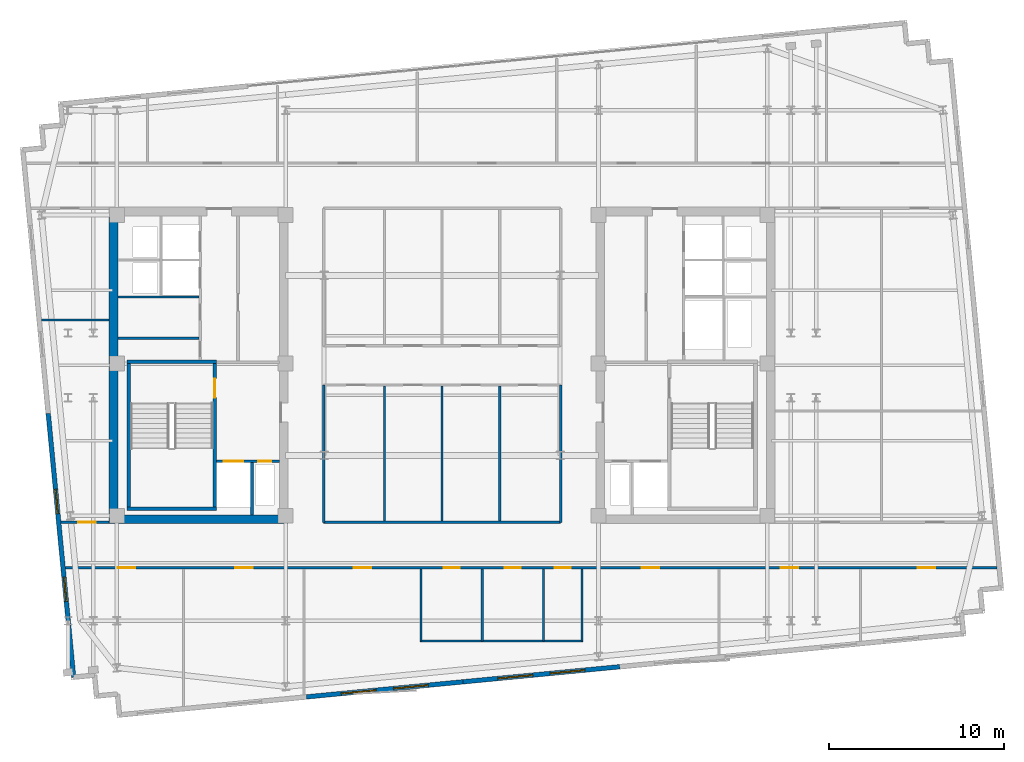
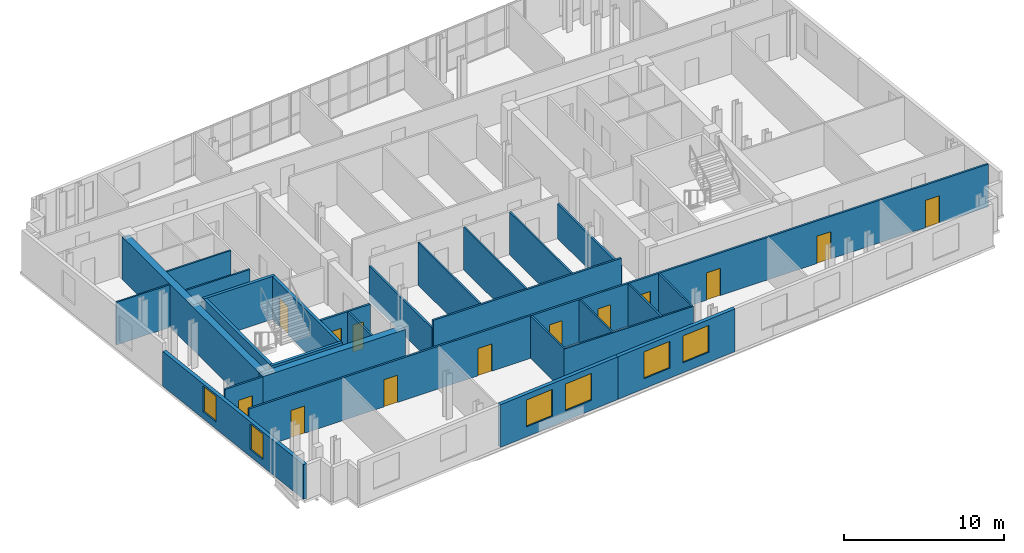
# One storey, part 6 of 11: 27 walls, 13 doors, 6 windows, 19 openings.
"""IFC4 building model written with IfcOpenShell, lengths in metres."""

from ifc_helpers import new_model, si_unit, direction, frame, frame_2d, origin, place, context, subcontext, project, spatial, rectangle, extrude, material, layer, layer_set, type_object, element, fill, save


model = new_model("IFC4")

# Units and contexts
model_context = context("Model", 3, precision=1e-05, world=origin(), true_north=direction((0.0, 1.0)))
body_context = subcontext(model_context, "Body", "Model", "MODEL_VIEW")
ifc_project = project(units=[si_unit("LENGTHUNIT", "METRE"), si_unit("AREAUNIT", "SQUARE_METRE"), si_unit("VOLUMEUNIT", "CUBIC_METRE"), si_unit("PLANEANGLEUNIT", "RADIAN"), si_unit("MASSUNIT", "GRAM", prefix="KILO")], contexts=[model_context])

# Site, building, storey
site_placement = place(None, origin())
site = spatial("IfcSite", under=ifc_project, at=site_placement, CompositionType="ELEMENT")
building_placement = place(site_placement, origin())
building = spatial("IfcBuilding", under=site, at=building_placement, Name="Velakula Bourse", CompositionType="ELEMENT")
storey_placement = place(building_placement, frame((0.0, 0.0, 279.300048828125)))
storey = spatial("IfcBuildingStorey", under=building, at=storey_placement, Name="L76", CompositionType="ELEMENT", Elevation=279.300048828125)

# Wall, opening, door
ifc_material_1 = material(Name="Concrete M50 (fck 50 MPa)", Category="concrete")
ifc_layer_1 = layer(ifc_material_1, 0.2099609375, Name="Concrete M50 (fck 50 MPa)", Category="concrete")
ifc_layer_set_1 = layer_set([ifc_layer_1], Name="Concrete M50 (fck 50 MPa)")
wall_type_1 = type_object("IfcWallType", Name="WL-CORE-210", PredefinedType="SHEAR", material=ifc_layer_set_1)
wall_1_placement = place(storey_placement, frame((-12.9951171875, -8.10009765625, 0.0), z_axis=(0.0, 0.0, 1.0), x_axis=(0.0, 1.0, 0.0)))
wall_1 = element("IfcWall", 1, at=wall_1_placement, inside=storey, type_object=wall_type_1, Name="L76 Core W Stairwell Shear Wall IN", PredefinedType="SHEAR", context=body_context, shape_type="SweptSolid", body=[
    extrude(rectangle(XDim=8.2001953125, YDim=0.2099609375, at=frame_2d((4.10009765625, 0.0))), origin(), (0.0, 0.0, 1.0), 3.27001953125),
])
opening_1_placement = place(wall_1_placement, frame((6.25, 0.0, 0.0)))
opening_1 = element("IfcOpeningElement", 2, at=opening_1_placement, cuts=wall_1, Name="Opening D-STW1", PredefinedType="OPENING", context=body_context, shape_type="SweptSolid", body=[
    extrude(rectangle(XDim=1.10009765625, YDim=2.14990234375, at=frame_2d((0.550048828125, 1.074951171875))), frame((0.0, 0.114990234375, 0.0), z_axis=(0.0, -1.0, 0.0), x_axis=(1.0, 0.0, 0.0)), (0.0, 0.0, 1.0), 0.22998046875),
])
ifc_material_2 = material(Name="Galvanised painted hollow steel fire door", Category="steel")
door_type_1 = type_object("IfcDoorType", Name="DR-FD120-1100x2150", OperationType="NOTDEFINED", PredefinedType="DOOR", material=ifc_material_2)
door_1_placement = place(opening_1_placement, origin())
door_1 = element("IfcDoor", 3, at=door_1_placement, inside=storey, type_object=door_type_1, Name="L76 Stair ST-W1 Fire Door", OperationType="SINGLE_SWING_LEFT", OverallHeight=2.14990234375, OverallWidth=1.10009765625, PredefinedType="DOOR", context=body_context, shape_type="SweptSolid", body=[
    extrude(rectangle(XDim=1.10009765625, YDim=2.14990234375, at=frame_2d((0.550048828125, 1.074951171875))), frame((0.0, 0.02490234375, 0.0), z_axis=(0.0, -1.0, 0.0), x_axis=(1.0, 0.0, 0.0)), (0.0, 0.0, 1.0), 0.050048828125),
])
fill(opening_1, door_1)

# Walls
wall_2_placement = place(storey_placement, frame((-17.925048828125, -8.10009765625, 0.0), z_axis=(0.0, 0.0, 1.0), x_axis=(0.0, 1.0, 0.0)))
element("IfcWall", 4, at=wall_2_placement, inside=storey, type_object=wall_type_1, Name="L76 Core W Stairwell Shear Wall OUT", PredefinedType="SHEAR", context=body_context, shape_type="SweptSolid", body=[
    extrude(rectangle(XDim=8.2001953125, YDim=0.2099609375, at=frame_2d((4.10009765625, 0.0))), origin(), (0.0, 0.0, 1.0), 3.27001953125),
])
for number, where, z_axis, x_axis, name in (
    (5, (-18.030029296875, -8.205078125, 0.0), (0.0, 0.0, 1.0), (1.0, 0.0, 0.0), "L76 Core W Stairwell Shear Wall S"),
    (6, (-12.889892578125, 0.205078125, 0.0), (0.0, 0.0, 1.0), (-1.0, 0.0, 0.0), "L76 Core W Stairwell Shear Wall N"),
):
    element("IfcWall", number, at=place(storey_placement, frame(where, z_axis=z_axis, x_axis=x_axis)), inside=storey, type_object=wall_type_1, Name=name, PredefinedType="SHEAR", context=body_context, shape_type="SweptSolid", body=[
        extrude(rectangle(XDim=5.14013671875, YDim=0.2099609375, at=frame_2d((2.570068359375, 0.0))), origin(), (0.0, 0.0, 1.0), 3.27001953125),
    ])
ifc_layer_2 = layer(ifc_material_1, 0.5, Name="Concrete M50 (fck 50 MPa)", Category="concrete")
ifc_layer_set_2 = layer_set([ifc_layer_2], Name="Concrete M50 (fck 50 MPa)")
wall_type_2 = type_object("IfcWallType", Name="WL-CORE-500", PredefinedType="SHEAR", material=ifc_layer_set_2)
wall_3_placement = place(storey_placement, frame((-19.050048828125, -8.800048828125, 0.0), z_axis=(0.0, 0.0, 1.0), x_axis=(1.0, 0.0, 0.0)))
element("IfcWall", 7, at=wall_3_placement, inside=storey, type_object=wall_type_2, Name="L76 Core W Shear Wall S", PredefinedType="SHEAR", context=body_context, shape_type="SweptSolid", body=[
    extrude(rectangle(XDim=10.25, YDim=0.5, at=frame_2d((5.125, 0.0))), origin(), (0.0, 0.0, 1.0), 3.27001953125),
])
wall_4_placement = place(storey_placement, frame((-18.800048828125, -8.550048828125, 0.0), z_axis=(0.0, 0.0, 1.0), x_axis=(0.0, 1.0, 0.0)))
element("IfcWall", 8, at=wall_4_placement, inside=storey, type_object=wall_type_2, Name="L76 Core W Shear Wall W", PredefinedType="SHEAR", context=body_context, shape_type="SweptSolid", body=[
    extrude(rectangle(XDim=17.10009765625, YDim=0.5, at=frame_2d((8.550048828125, 0.0))), origin(), (0.0, 0.0, 1.0), 3.27001953125),
])

# Wall, openings, windows
ifc_material_3 = material(Name="Buff kilned clay facing brick masonry", Category="masonry")
ifc_layer_3 = layer(ifc_material_3, 0.260009765625, Name="Buff kilned clay facing brick masonry", Category="masonry")
ifc_layer_set_3 = layer_set([ifc_layer_3], Name="Buff kilned clay facing brick masonry")
wall_type_3 = type_object("IfcWallType", Name="WL-EXT-BRK-260", PredefinedType="STANDARD", material=ifc_layer_set_3)
wall_5_placement = place(storey_placement, frame((1.202880859375, -18.1005859375, 0.0), z_axis=(0.0, 0.0, 1.0), x_axis=(-0.995397043619, -0.095836973841, 0.0)))
wall_5 = element("IfcWall", 9, at=wall_5_placement, inside=storey, type_object=wall_type_3, Name="L76 S Brick Spandrel Wall B2", PredefinedType="STANDARD", context=body_context, shape_type="SweptSolid", body=[
    extrude(rectangle(XDim=9.000244140625, YDim=0.260009765625, at=frame_2d((4.5, 0.0))), origin(), (0.0, 0.0, 1.0), 3.25),
])
opening_2_placement = place(wall_5_placement, frame((2.0, 0.0, 0.760009765625)))
opening_2 = element("IfcOpeningElement", 10, at=opening_2_placement, cuts=wall_5, Name="Opening W-05", PredefinedType="OPENING", context=body_context, shape_type="SweptSolid", body=[
    extrude(rectangle(XDim=2.0, YDim=2.050048828125, at=frame_2d((1.0, 1.02490234375))), frame((0.0, 0.139892578125, 0.0), z_axis=(0.0, -1.0, 0.0), x_axis=(1.0, 0.0, 0.0)), (0.0, 0.0, 1.0), 0.280029296875),
])
opening_3_placement = place(wall_5_placement, frame((5.0, 0.0, 0.760009765625)))
opening_3 = element("IfcOpeningElement", 11, at=opening_3_placement, cuts=wall_5, Name="Opening W-05", PredefinedType="OPENING", context=body_context, shape_type="SweptSolid", body=[
    extrude(rectangle(XDim=2.0, YDim=2.050048828125, at=frame_2d((1.0, 1.02490234375))), frame((0.0, 0.139892578125, 0.0), z_axis=(0.0, -1.0, 0.0), x_axis=(1.0, 0.0, 0.0)), (0.0, 0.0, 1.0), 0.280029296875),
])
ifc_material_4 = material(Name="Double-glazed solar-control Low-E glass", Category="glass")
window_type_1 = type_object("IfcWindowType", Name="WIN-TWR-2000x2200", PartitioningType="DOUBLE_PANEL_VERTICAL", PredefinedType="WINDOW", material=ifc_material_4)
window_1_placement = place(opening_2_placement, origin())
window_1 = element("IfcWindow", 12, at=window_1_placement, inside=storey, type_object=window_type_1, Name="L76 Deep-Set Recessed Window 1", OverallHeight=2.050048828125, OverallWidth=2.0, PartitioningType="DOUBLE_PANEL_VERTICAL", PredefinedType="WINDOW", context=body_context, shape_type="SweptSolid", body=[
    extrude(rectangle(XDim=2.0, YDim=2.050048828125, at=frame_2d((1.0, 1.02490234375))), frame((0.0, 0.030029296875, 0.0), z_axis=(0.0, -1.0, 0.0), x_axis=(1.0, 0.0, 0.0)), (0.0, 0.0, 1.0), 0.06005859375),
])
fill(opening_2, window_1)
window_2_placement = place(opening_3_placement, origin())
window_2 = element("IfcWindow", 13, at=window_2_placement, inside=storey, type_object=window_type_1, Name="L76 Deep-Set Recessed Window 2", OverallHeight=2.050048828125, OverallWidth=2.0, PartitioningType="DOUBLE_PANEL_VERTICAL", PredefinedType="WINDOW", context=body_context, shape_type="SweptSolid", body=[
    extrude(rectangle(XDim=2.0, YDim=2.050048828125, at=frame_2d((1.0, 1.02490234375))), frame((0.0, 0.030029296875, 0.0), z_axis=(0.0, -1.0, 0.0), x_axis=(1.0, 0.0, 0.0)), (0.0, 0.0, 1.0), 0.06005859375),
])
fill(opening_3, window_2)

wall_6_placement = place(storey_placement, frame((10.161376953125, -17.23779296875, 0.0), z_axis=(0.0, 0.0, 1.0), x_axis=(-0.995394206237, -0.095866439332, 0.0)))
wall_6 = element("IfcWall", 14, at=wall_6_placement, inside=storey, type_object=wall_type_3, Name="L76 S Brick Spandrel Wall B3", PredefinedType="STANDARD", context=body_context, shape_type="SweptSolid", body=[
    extrude(rectangle(XDim=9.0, YDim=0.260009765625, at=frame_2d((4.5, 0.0))), origin(), (0.0, 0.0, 1.0), 3.25),
])
opening_4_placement = place(wall_6_placement, frame((2.0, 0.0, 0.760009765625)))
opening_4 = element("IfcOpeningElement", 15, at=opening_4_placement, cuts=wall_6, Name="Opening W-05", PredefinedType="OPENING", context=body_context, shape_type="SweptSolid", body=[
    extrude(rectangle(XDim=2.0, YDim=2.050048828125, at=frame_2d((1.0, 1.02490234375))), frame((0.0, 0.139892578125, 0.0), z_axis=(0.0, -1.0, 0.0), x_axis=(1.0, 0.0, 0.0)), (0.0, 0.0, 1.0), 0.280029296875),
])
opening_5_placement = place(wall_6_placement, frame((5.0, 0.0, 0.760009765625)))
opening_5 = element("IfcOpeningElement", 16, at=opening_5_placement, cuts=wall_6, Name="Opening W-05", PredefinedType="OPENING", context=body_context, shape_type="SweptSolid", body=[
    extrude(rectangle(XDim=2.0, YDim=2.050048828125, at=frame_2d((1.0, 1.02490234375))), frame((0.0, 0.139892578125, 0.0), z_axis=(0.0, -1.0, 0.0), x_axis=(1.0, 0.0, 0.0)), (0.0, 0.0, 1.0), 0.280029296875),
])
window_3_placement = place(opening_4_placement, origin())
window_3 = element("IfcWindow", 17, at=window_3_placement, inside=storey, type_object=window_type_1, Name="L76 Deep-Set Recessed Window 1", OverallHeight=2.050048828125, OverallWidth=2.0, PartitioningType="DOUBLE_PANEL_VERTICAL", PredefinedType="WINDOW", context=body_context, shape_type="SweptSolid", body=[
    extrude(rectangle(XDim=2.0, YDim=2.050048828125, at=frame_2d((1.0, 1.02490234375))), frame((0.0, 0.030029296875, 0.0), z_axis=(0.0, -1.0, 0.0), x_axis=(1.0, 0.0, 0.0)), (0.0, 0.0, 1.0), 0.06005859375),
])
fill(opening_4, window_3)
window_4_placement = place(opening_5_placement, origin())
window_4 = element("IfcWindow", 18, at=window_4_placement, inside=storey, type_object=window_type_1, Name="L76 Deep-Set Recessed Window 2", OverallHeight=2.050048828125, OverallWidth=2.0, PartitioningType="DOUBLE_PANEL_VERTICAL", PredefinedType="WINDOW", context=body_context, shape_type="SweptSolid", body=[
    extrude(rectangle(XDim=2.0, YDim=2.050048828125, at=frame_2d((1.0, 1.02490234375))), frame((0.0, 0.030029296875, 0.0), z_axis=(0.0, -1.0, 0.0), x_axis=(1.0, 0.0, 0.0)), (0.0, 0.0, 1.0), 0.06005859375),
])
fill(opening_5, window_4)

wall_7_placement = place(storey_placement, frame((-21.0751953125, -17.83447265625, 0.0), z_axis=(0.0, 0.0, 1.0), x_axis=(-0.095852427869, 0.995395555582, 0.0)))
wall_7 = element("IfcWall", 19, at=wall_7_placement, inside=storey, type_object=wall_type_3, Name="L76 W Brick End Wall W1", PredefinedType="STANDARD", context=body_context, shape_type="SweptSolid", body=[
    extrude(rectangle(XDim=15.14990234375, YDim=0.260009765625, at=frame_2d((7.574951171875, 0.0))), origin(), (0.0, 0.0, 1.0), 2.64501953125),
])
opening_6_placement = place(wall_7_placement, frame((4.35009765625, 0.0, 0.534912109375)))
opening_6 = element("IfcOpeningElement", 20, at=opening_6_placement, cuts=wall_7, Name="Opening W-03", PredefinedType="OPENING", context=body_context, shape_type="SweptSolid", body=[
    extrude(rectangle(XDim=1.39990234375, YDim=1.949951171875, at=frame_2d((0.699951171875, 0.97509765625))), frame((0.0, 0.139892578125, 0.0), z_axis=(0.0, -1.0, 0.0), x_axis=(1.0, 0.0, 0.0)), (0.0, 0.0, 1.0), 0.280029296875),
])
opening_7_placement = place(wall_7_placement, frame((9.39990234375, 0.0, 0.534912109375)))
opening_7 = element("IfcOpeningElement", 21, at=opening_7_placement, cuts=wall_7, Name="Opening W-03", PredefinedType="OPENING", context=body_context, shape_type="SweptSolid", body=[
    extrude(rectangle(XDim=1.39990234375, YDim=1.949951171875, at=frame_2d((0.699951171875, 0.97509765625))), frame((0.0, 0.139892578125, 0.0), z_axis=(0.0, -1.0, 0.0), x_axis=(1.0, 0.0, 0.0)), (0.0, 0.0, 1.0), 0.280029296875),
])
window_type_2 = type_object("IfcWindowType", Name="WIN-TWR-1400x2100", PartitioningType="SINGLE_PANEL", PredefinedType="WINDOW", material=ifc_material_4)
window_5_placement = place(opening_6_placement, origin())
window_5 = element("IfcWindow", 22, at=window_5_placement, inside=storey, type_object=window_type_2, Name="L76 Deep-Set Recessed Window 1", OverallHeight=1.949951171875, OverallWidth=1.39990234375, PartitioningType="SINGLE_PANEL", PredefinedType="WINDOW", context=body_context, shape_type="SweptSolid", body=[
    extrude(rectangle(XDim=1.39990234375, YDim=1.949951171875, at=frame_2d((0.699951171875, 0.97509765625))), frame((0.0, 0.030029296875, 0.0), z_axis=(0.0, -1.0, 0.0), x_axis=(1.0, 0.0, 0.0)), (0.0, 0.0, 1.0), 0.06005859375),
])
fill(opening_6, window_5)
window_6_placement = place(opening_7_placement, origin())
window_6 = element("IfcWindow", 23, at=window_6_placement, inside=storey, type_object=window_type_2, Name="L76 Deep-Set Recessed Window 2", OverallHeight=1.949951171875, OverallWidth=1.39990234375, PartitioningType="SINGLE_PANEL", PredefinedType="WINDOW", context=body_context, shape_type="SweptSolid", body=[
    extrude(rectangle(XDim=1.39990234375, YDim=1.949951171875, at=frame_2d((0.699951171875, 0.97509765625))), frame((0.0, 0.030029296875, 0.0), z_axis=(0.0, -1.0, 0.0), x_axis=(1.0, 0.0, 0.0)), (0.0, 0.0, 1.0), 0.06005859375),
])
fill(opening_7, window_6)

# Walls
ifc_material_5 = material(Name="Fire-rated double-layer gypsum drywall partition", Category="gypsum")
ifc_layer_4 = layer(ifc_material_5, 0.1201171875, Name="Fire-rated double-layer gypsum drywall partition", Category="gypsum")
ifc_layer_set_4 = layer_set([ifc_layer_4], Name="Fire-rated double-layer gypsum drywall partition")
wall_type_4 = type_object("IfcWallType", Name="WL-PART-120", PredefinedType="STANDARD", material=ifc_layer_set_4)
for number, where, z_axis, x_axis, name in (
    (24, (-18.550048828125, 3.919921875, 0.0), (0.0, 0.0, 1.0), (1.0, 0.0, 0.0), "L76 Interior Partition WL-CRW-L76-HI-S"),
    (25, (-18.550048828125, 1.550048828125, 0.0), (0.0, 0.0, 1.0), (1.0, 0.0, 0.0), "L76 Interior Partition WL-CRW-L76-K1"),
):
    element("IfcWall", number, at=place(storey_placement, frame(where, z_axis=z_axis, x_axis=x_axis)), inside=storey, type_object=wall_type_4, Name=name, PredefinedType="STANDARD", context=body_context, shape_type="SweptSolid", body=[
        extrude(rectangle(XDim=4.650146484375, YDim=0.1201171875, at=frame_2d((2.3251953125, 0.0))), origin(), (0.0, 0.0, 1.0), 3.25),
    ])
wall_8_placement = place(storey_placement, frame((-1.260009765625, -15.77001953125, 0.0), z_axis=(0.0, 0.0, 1.0), x_axis=(1.0, 0.0, 0.0)))
element("IfcWall", 26, at=wall_8_placement, inside=storey, type_object=wall_type_4, Name="L76 Interior Partition WL-WC-L76-BACK", PredefinedType="STANDARD", context=body_context, shape_type="SweptSolid", body=[
    extrude(rectangle(XDim=9.320068359375, YDim=0.1201171875, at=frame_2d((4.66015625, 0.0))), origin(), (0.0, 0.0, 1.0), 3.25),
])
for number, where, z_axis, x_axis, name in (
    (27, (-1.199951171875, -15.77001953125, 0.0), (0.0, 0.0, 1.0), (0.0, 1.0, 0.0), "L76 Interior Partition WL-WC-L76-V1"),
    (28, (2.300048828125, -15.77001953125, 0.0), (0.0, 0.0, 1.0), (0.0, 1.0, 0.0), "L76 Interior Partition WL-WC-L76-V2"),
    (29, (5.800048828125, -15.77001953125, 0.0), (0.0, 0.0, 1.0), (0.0, 1.0, 0.0), "L76 Interior Partition WL-WC-L76-V3"),
    (30, (8.0, -15.77001953125, 0.0), (0.0, 0.0, 1.0), (0.0, 1.0, 0.0), "L76 Interior Partition WL-WC-L76-V4"),
):
    element("IfcWall", number, at=place(storey_placement, frame(where, z_axis=z_axis, x_axis=x_axis)), inside=storey, type_object=wall_type_4, Name=name, PredefinedType="STANDARD", context=body_context, shape_type="SweptSolid", body=[
        extrude(rectangle(XDim=4.130126953125, YDim=0.1201171875, at=frame_2d((2.06494140625, 0.0))), origin(), (0.0, 0.0, 1.0), 3.25),
    ])
wall_9_placement = place(storey_placement, frame((-22.912353515625, 2.60009765625, 0.0), z_axis=(0.0, 0.0, 1.0), x_axis=(1.0, 0.0, 0.0)))
element("IfcWall", 31, at=wall_9_placement, inside=storey, type_object=wall_type_4, Name="L76 Interior Partition WL-INT-L76-W-H", PredefinedType="STANDARD", context=body_context, shape_type="SweptSolid", body=[
    extrude(rectangle(XDim=3.8623046875, YDim=0.1201171875, at=frame_2d((1.93115234375, 0.0))), origin(), (0.0, 0.0, 1.0), 3.25),
])

# Wall, openings, doors
ifc_layer_5 = layer(ifc_material_5, 0.139892578125, Name="Fire-rated double-layer gypsum drywall partition", Category="gypsum")
ifc_layer_set_5 = layer_set([ifc_layer_5], Name="Fire-rated double-layer gypsum drywall partition")
wall_type_5 = type_object("IfcWallType", Name="WL-PART-140", PredefinedType="STANDARD", material=ifc_layer_set_5)
wall_10_placement = place(storey_placement, frame((-21.5478515625, -11.570068359375, 0.0), z_axis=(0.0, 0.0, 1.0), x_axis=(1.0, 0.0, 0.0)))
wall_10 = element("IfcWall", 32, at=wall_10_placement, inside=storey, type_object=wall_type_5, Name="L76 Interior Partition WL-INT-L76-S-CORR", PredefinedType="STANDARD", context=body_context, shape_type="SweptSolid", body=[
    extrude(rectangle(XDim=53.285400390625, YDim=0.139892578125, at=frame_2d((26.642578125, 0.0))), origin(), (0.0, 0.0, 1.0), 3.25),
])
opening_8_placement = place(wall_10_placement, frame((21.637939453125, 0.0, 0.0)))
opening_8 = element("IfcOpeningElement", 33, at=opening_8_placement, cuts=wall_10, Name="Opening D-WT1", PredefinedType="OPENING", context=body_context, shape_type="SweptSolid", body=[
    extrude(rectangle(XDim=0.919921875, YDim=2.080078125, at=frame_2d((0.4599609375, 1.0400390625))), frame((0.0, 0.079833984375, 0.0), z_axis=(0.0, -1.0, 0.0), x_axis=(1.0, 0.0, 0.0)), (0.0, 0.0, 1.0), 0.159912109375),
])
opening_9_placement = place(wall_10_placement, frame((25.137939453125, 0.0, 0.0)))
opening_9 = element("IfcOpeningElement", 34, at=opening_9_placement, cuts=wall_10, Name="Opening D-WT1", PredefinedType="OPENING", context=body_context, shape_type="SweptSolid", body=[
    extrude(rectangle(XDim=0.919921875, YDim=2.080078125, at=frame_2d((0.4599609375, 1.0400390625))), frame((0.0, 0.079833984375, 0.0), z_axis=(0.0, -1.0, 0.0), x_axis=(1.0, 0.0, 0.0)), (0.0, 0.0, 1.0), 0.159912109375),
])
opening_10_placement = place(wall_10_placement, frame((27.98779296875, 0.0, 0.0)))
opening_10 = element("IfcOpeningElement", 35, at=opening_10_placement, cuts=wall_10, Name="Opening D-WC1", PredefinedType="OPENING", context=body_context, shape_type="SweptSolid", body=[
    extrude(rectangle(XDim=0.919921875, YDim=2.080078125, at=frame_2d((0.4599609375, 1.0400390625))), frame((0.0, 0.079833984375, 0.0), z_axis=(0.0, -1.0, 0.0), x_axis=(1.0, 0.0, 0.0)), (0.0, 0.0, 1.0), 0.159912109375),
])
opening_11_placement = place(wall_10_placement, frame((3.005859375, 0.0, 0.0)))
opening_11 = element("IfcOpeningElement", 36, at=opening_11_placement, cuts=wall_10, Name="Opening D-OF1", PredefinedType="OPENING", context=body_context, shape_type="SweptSolid", body=[
    extrude(rectangle(XDim=1.0, YDim=2.080078125, at=frame_2d((0.5, 1.0400390625))), frame((0.0, 0.079833984375, 0.0), z_axis=(0.0, -1.0, 0.0), x_axis=(1.0, 0.0, 0.0)), (0.0, 0.0, 1.0), 0.159912109375),
])
opening_12_placement = place(wall_10_placement, frame((9.70751953125, 0.0, 0.0)))
opening_12 = element("IfcOpeningElement", 37, at=opening_12_placement, cuts=wall_10, Name="Opening D-OF1", PredefinedType="OPENING", context=body_context, shape_type="SweptSolid", body=[
    extrude(rectangle(XDim=1.0, YDim=2.080078125, at=frame_2d((0.5, 1.0400390625))), frame((0.0, 0.079833984375, 0.0), z_axis=(0.0, -1.0, 0.0), x_axis=(1.0, 0.0, 0.0)), (0.0, 0.0, 1.0), 0.159912109375),
])
opening_13_placement = place(wall_10_placement, frame((16.50146484375, 0.0, 0.0)))
opening_13 = element("IfcOpeningElement", 38, at=opening_13_placement, cuts=wall_10, Name="Opening D-OF1", PredefinedType="OPENING", context=body_context, shape_type="SweptSolid", body=[
    extrude(rectangle(XDim=1.0, YDim=2.080078125, at=frame_2d((0.5, 1.0400390625))), frame((0.0, 0.079833984375, 0.0), z_axis=(0.0, -1.0, 0.0), x_axis=(1.0, 0.0, 0.0)), (0.0, 0.0, 1.0), 0.159912109375),
])
opening_14_placement = place(wall_10_placement, frame((32.970458984375, 0.0, 0.0)))
opening_14 = element("IfcOpeningElement", 39, at=opening_14_placement, cuts=wall_10, Name="Opening D-OF1", PredefinedType="OPENING", context=body_context, shape_type="SweptSolid", body=[
    extrude(rectangle(XDim=1.0, YDim=2.080078125, at=frame_2d((0.5, 1.0400390625))), frame((0.0, 0.079833984375, 0.0), z_axis=(0.0, -1.0, 0.0), x_axis=(1.0, 0.0, 0.0)), (0.0, 0.0, 1.0), 0.159912109375),
])
opening_15_placement = place(wall_10_placement, frame((40.933837890625, 0.0, 0.0)))
opening_15 = element("IfcOpeningElement", 40, at=opening_15_placement, cuts=wall_10, Name="Opening D-OF1", PredefinedType="OPENING", context=body_context, shape_type="SweptSolid", body=[
    extrude(rectangle(XDim=1.0, YDim=2.080078125, at=frame_2d((0.5, 1.0400390625))), frame((0.0, 0.079833984375, 0.0), z_axis=(0.0, -1.0, 0.0), x_axis=(1.0, 0.0, 0.0)), (0.0, 0.0, 1.0), 0.159912109375),
])
opening_16_placement = place(wall_10_placement, frame((48.754150390625, 0.0, 0.0)))
opening_16 = element("IfcOpeningElement", 41, at=opening_16_placement, cuts=wall_10, Name="Opening D-OF1", PredefinedType="OPENING", context=body_context, shape_type="SweptSolid", body=[
    extrude(rectangle(XDim=1.0, YDim=2.080078125, at=frame_2d((0.5, 1.0400390625))), frame((0.0, 0.079833984375, 0.0), z_axis=(0.0, -1.0, 0.0), x_axis=(1.0, 0.0, 0.0)), (0.0, 0.0, 1.0), 0.159912109375),
])
ifc_material_6 = material(Name="Fire-rated hardwood flush architectural door", Category="wood")
door_type_2 = type_object("IfcDoorType", Name="DR-OFF-1000", OperationType="NOTDEFINED", PredefinedType="DOOR", material=ifc_material_6)
door_2_placement = place(opening_11_placement, origin())
door_2 = element("IfcDoor", 42, at=door_2_placement, inside=storey, type_object=door_type_2, Name="L76 Quiet Financial Library Door", OperationType="SINGLE_SWING_LEFT", OverallHeight=2.080078125, OverallWidth=1.0, PredefinedType="DOOR", context=body_context, shape_type="SweptSolid", body=[
    extrude(rectangle(XDim=1.0, YDim=2.080078125, at=frame_2d((0.5, 1.0400390625))), frame((0.0, 0.02490234375, 0.0), z_axis=(0.0, -1.0, 0.0), x_axis=(1.0, 0.0, 0.0)), (0.0, 0.0, 1.0), 0.050048828125),
])
fill(opening_11, door_2)
door_3_placement = place(opening_12_placement, origin())
door_3 = element("IfcDoor", 43, at=door_3_placement, inside=storey, type_object=door_type_2, Name="L76 Broadcast Control Office Door", OperationType="SINGLE_SWING_RIGHT", OverallHeight=2.080078125, OverallWidth=1.0, PredefinedType="DOOR", context=body_context, shape_type="SweptSolid", body=[
    extrude(rectangle(XDim=1.0, YDim=2.080078125, at=frame_2d((0.5, 1.0400390625))), frame((0.0, 0.02490234375, 0.0), z_axis=(0.0, -1.0, 0.0), x_axis=(1.0, 0.0, 0.0)), (0.0, 0.0, 1.0), 0.050048828125),
])
fill(opening_12, door_3)
door_4_placement = place(opening_13_placement, origin())
door_4 = element("IfcDoor", 44, at=door_4_placement, inside=storey, type_object=door_type_2, Name="L76 Peer Review Boardroom Door", OperationType="SINGLE_SWING_LEFT", OverallHeight=2.080078125, OverallWidth=1.0, PredefinedType="DOOR", context=body_context, shape_type="SweptSolid", body=[
    extrude(rectangle(XDim=1.0, YDim=2.080078125, at=frame_2d((0.5, 1.0400390625))), frame((0.0, 0.02490234375, 0.0), z_axis=(0.0, -1.0, 0.0), x_axis=(1.0, 0.0, 0.0)), (0.0, 0.0, 1.0), 0.050048828125),
])
fill(opening_13, door_4)
door_5_placement = place(opening_14_placement, origin())
door_5 = element("IfcDoor", 45, at=door_5_placement, inside=storey, type_object=door_type_2, Name="L76 Catering Servery Pantry Door", OperationType="SINGLE_SWING_RIGHT", OverallHeight=2.080078125, OverallWidth=1.0, PredefinedType="DOOR", context=body_context, shape_type="SweptSolid", body=[
    extrude(rectangle(XDim=1.0, YDim=2.080078125, at=frame_2d((0.5, 1.0400390625))), frame((0.0, 0.02490234375, 0.0), z_axis=(0.0, -1.0, 0.0), x_axis=(1.0, 0.0, 0.0)), (0.0, 0.0, 1.0), 0.050048828125),
])
fill(opening_14, door_5)
door_6_placement = place(opening_15_placement, origin())
door_6 = element("IfcDoor", 46, at=door_6_placement, inside=storey, type_object=door_type_2, Name="L76 Sovereign Wealth Desk Workspace Door", OperationType="SINGLE_SWING_LEFT", OverallHeight=2.080078125, OverallWidth=1.0, PredefinedType="DOOR", context=body_context, shape_type="SweptSolid", body=[
    extrude(rectangle(XDim=1.0, YDim=2.080078125, at=frame_2d((0.5, 1.0400390625))), frame((0.0, 0.02490234375, 0.0), z_axis=(0.0, -1.0, 0.0), x_axis=(1.0, 0.0, 0.0)), (0.0, 0.0, 1.0), 0.050048828125),
])
fill(opening_15, door_6)
door_7_placement = place(opening_16_placement, origin())
door_7 = element("IfcDoor", 47, at=door_7_placement, inside=storey, type_object=door_type_2, Name="L76 Broadcast Control Office Door", OperationType="SINGLE_SWING_RIGHT", OverallHeight=2.080078125, OverallWidth=1.0, PredefinedType="DOOR", context=body_context, shape_type="SweptSolid", body=[
    extrude(rectangle(XDim=1.0, YDim=2.080078125, at=frame_2d((0.5, 1.0400390625))), frame((0.0, 0.02490234375, 0.0), z_axis=(0.0, -1.0, 0.0), x_axis=(1.0, 0.0, 0.0)), (0.0, 0.0, 1.0), 0.050048828125),
])
fill(opening_16, door_7)
door_type_3 = type_object("IfcDoorType", Name="DR-WC-950", OperationType="NOTDEFINED", PredefinedType="DOOR", material=ifc_material_6)
door_8_placement = place(opening_8_placement, origin())
door_8 = element("IfcDoor", 48, at=door_8_placement, inside=storey, type_object=door_type_3, Name="L76 Male Staff Toilet Door", OperationType="SINGLE_SWING_RIGHT", OverallHeight=2.080078125, OverallWidth=0.919921875, PredefinedType="DOOR", context=body_context, shape_type="SweptSolid", body=[
    extrude(rectangle(XDim=0.919921875, YDim=2.080078125, at=frame_2d((0.4599609375, 1.0400390625))), frame((0.0, 0.02490234375, 0.0), z_axis=(0.0, -1.0, 0.0), x_axis=(1.0, 0.0, 0.0)), (0.0, 0.0, 1.0), 0.050048828125),
])
fill(opening_8, door_8)
door_9_placement = place(opening_9_placement, origin())
door_9 = element("IfcDoor", 49, at=door_9_placement, inside=storey, type_object=door_type_3, Name="L76 Female Staff Toilet Door", OperationType="SINGLE_SWING_LEFT", OverallHeight=2.080078125, OverallWidth=0.919921875, PredefinedType="DOOR", context=body_context, shape_type="SweptSolid", body=[
    extrude(rectangle(XDim=0.919921875, YDim=2.080078125, at=frame_2d((0.4599609375, 1.0400390625))), frame((0.0, 0.02490234375, 0.0), z_axis=(0.0, -1.0, 0.0), x_axis=(1.0, 0.0, 0.0)), (0.0, 0.0, 1.0), 0.050048828125),
])
fill(opening_9, door_9)
door_10_placement = place(opening_10_placement, origin())
door_10 = element("IfcDoor", 50, at=door_10_placement, inside=storey, type_object=door_type_3, Name="L76 Accessible WC Door", OperationType="SINGLE_SWING_RIGHT", OverallHeight=2.080078125, OverallWidth=0.919921875, PredefinedType="DOOR", context=body_context, shape_type="SweptSolid", body=[
    extrude(rectangle(XDim=0.919921875, YDim=2.080078125, at=frame_2d((0.4599609375, 1.0400390625))), frame((0.0, 0.02490234375, 0.0), z_axis=(0.0, -1.0, 0.0), x_axis=(1.0, 0.0, 0.0)), (0.0, 0.0, 1.0), 0.050048828125),
])
fill(opening_10, door_10)

# Wall, opening, door
wall_11_placement = place(storey_placement, frame((-21.797119140625, -8.97998046875, 0.0), z_axis=(0.0, 0.0, 1.0), x_axis=(1.0, 0.0, 0.0)))
wall_11 = element("IfcWall", 51, at=wall_11_placement, inside=storey, type_object=wall_type_5, Name="L76 Interior Partition WL-INT-L76-W-SC", PredefinedType="STANDARD", context=body_context, shape_type="SweptSolid", body=[
    extrude(rectangle(XDim=2.7470703125, YDim=0.139892578125, at=frame_2d((1.37353515625, 0.0))), origin(), (0.0, 0.0, 1.0), 3.25),
])
opening_17_placement = place(wall_11_placement, frame((0.984375, 0.0, 0.0)))
opening_17 = element("IfcOpeningElement", 52, at=opening_17_placement, cuts=wall_11, Name="Opening D-OF1", PredefinedType="OPENING", context=body_context, shape_type="SweptSolid", body=[
    extrude(rectangle(XDim=1.0, YDim=2.080078125, at=frame_2d((0.5, 1.0400390625))), frame((0.0, 0.079833984375, 0.0), z_axis=(0.0, -1.0, 0.0), x_axis=(1.0, 0.0, 0.0)), (0.0, 0.0, 1.0), 0.159912109375),
])
door_11_placement = place(opening_17_placement, origin())
door_11 = element("IfcDoor", 53, at=door_11_placement, inside=storey, type_object=door_type_2, Name="L76 Maritime Freight Exchange Workspace Door", OperationType="SINGLE_SWING_RIGHT", OverallHeight=2.080078125, OverallWidth=1.0, PredefinedType="DOOR", context=body_context, shape_type="SweptSolid", body=[
    extrude(rectangle(XDim=1.0, YDim=2.080078125, at=frame_2d((0.5, 1.0400390625))), frame((0.0, 0.02490234375, 0.0), z_axis=(0.0, -1.0, 0.0), x_axis=(1.0, 0.0, 0.0)), (0.0, 0.0, 1.0), 0.050048828125),
])
fill(opening_17, door_11)

# Walls
wall_12_placement = place(storey_placement, frame((-6.780029296875, -8.97998046875, 0.0), z_axis=(0.0, 0.0, 1.0), x_axis=(1.0, 0.0, 0.0)))
element("IfcWall", 54, at=wall_12_placement, inside=storey, type_object=wall_type_5, Name="L76 Interior Partition WL-INT-L76-MS-OUT", PredefinedType="STANDARD", context=body_context, shape_type="SweptSolid", body=[
    extrude(rectangle(XDim=13.56005859375, YDim=0.139892578125, at=frame_2d((6.780029296875, 0.0))), origin(), (0.0, 0.0, 1.0), 3.25),
])
for number, where, z_axis, x_axis, name in (
    (55, (-6.780029296875, -8.97998046875, 0.0), (0.0, 0.0, 1.0), (0.0, 1.0, 0.0), "L76 Interior Partition WL-INT-L76-MS-W"),
    (56, (6.780029296875, -8.97998046875, 0.0), (0.0, 0.0, 1.0), (0.0, 1.0, 0.0), "L76 Interior Partition WL-INT-L76-MS-E"),
):
    element("IfcWall", number, at=place(storey_placement, frame(where, z_axis=z_axis, x_axis=x_axis)), inside=storey, type_object=wall_type_5, Name=name, PredefinedType="STANDARD", context=body_context, shape_type="SweptSolid", body=[
        extrude(rectangle(XDim=7.85986328125, YDim=0.139892578125, at=frame_2d((3.929931640625, 0.0))), origin(), (0.0, 0.0, 1.0), 2.64501953125),
    ])
for number, where, z_axis, x_axis, name in (
    (57, (-3.300048828125, -8.909912109375, 0.0), (0.0, 0.0, 1.0), (0.0, 1.0, 0.0), "L76 Interior Partition WL-INT-L76-MS-V1"),
    (58, (0.0, -8.909912109375, 0.0), (0.0, 0.0, 1.0), (0.0, 1.0, 0.0), "L76 Interior Partition WL-INT-L76-MS-V2"),
    (59, (3.300048828125, -8.909912109375, 0.0), (0.0, 0.0, 1.0), (0.0, 1.0, 0.0), "L76 Interior Partition WL-INT-L76-MS-V3"),
):
    element("IfcWall", number, at=place(storey_placement, frame(where, z_axis=z_axis, x_axis=x_axis)), inside=storey, type_object=wall_type_5, Name=name, PredefinedType="STANDARD", context=body_context, shape_type="SweptSolid", body=[
        extrude(rectangle(XDim=7.719970703125, YDim=0.1201171875, at=frame_2d((3.85986328125, 0.0))), origin(), (0.0, 0.0, 1.0), 3.25),
    ])

# Wall, openings, doors
ifc_material_7 = material(Name="Autoclaved aerated concrete blockwork masonry", Category="masonry")
ifc_layer_6 = layer(ifc_material_7, 0.14990234375, Name="Autoclaved aerated concrete blockwork masonry", Category="masonry")
ifc_layer_set_6 = layer_set([ifc_layer_6], Name="Autoclaved aerated concrete blockwork masonry")
wall_type_6 = type_object("IfcWallType", Name="WL-SHAFT-150", PredefinedType="STANDARD", material=ifc_layer_set_6)
wall_13_placement = place(storey_placement, frame((-12.89501953125, -5.47509765625, 0.0), z_axis=(0.0, 0.0, 1.0), x_axis=(1.0, 0.0, 0.0)))
wall_13 = element("IfcWall", 60, at=wall_13_placement, inside=storey, type_object=wall_type_6, Name="L76 Interior Partition WL-CRW-L76-FFL-N", PredefinedType="STANDARD", context=body_context, shape_type="SweptSolid", body=[
    extrude(rectangle(XDim=3.594970703125, YDim=0.14990234375, at=frame_2d((1.79736328125, 0.0))), origin(), (0.0, 0.0, 1.0), 3.25),
])
opening_18_placement = place(wall_13_placement, frame((0.419921875, 0.0, 0.0)))
opening_18 = element("IfcOpeningElement", 61, at=opening_18_placement, cuts=wall_13, Name="Opening LD-FFL-1", PredefinedType="OPENING", context=body_context, shape_type="SweptSolid", body=[
    extrude(rectangle(XDim=1.10009765625, YDim=2.14990234375, at=frame_2d((0.550048828125, 1.074951171875))), frame((0.0, 0.0849609375, 0.0), z_axis=(0.0, -1.0, 0.0), x_axis=(1.0, 0.0, 0.0)), (0.0, 0.0, 1.0), 0.169921875),
])
opening_19_placement = place(wall_13_placement, frame((2.3701171875, 0.0, 0.0)))
opening_19 = element("IfcOpeningElement", 62, at=opening_19_placement, cuts=wall_13, Name="Opening D-RS1", PredefinedType="OPENING", context=body_context, shape_type="SweptSolid", body=[
    extrude(rectangle(XDim=0.75, YDim=2.050048828125, at=frame_2d((0.375, 1.02490234375))), frame((0.0, 0.0849609375, 0.0), z_axis=(0.0, -1.0, 0.0), x_axis=(1.0, 0.0, 0.0)), (0.0, 0.0, 1.0), 0.169921875),
])
door_type_4 = type_object("IfcDoorType", Name="DR-RISER-800", OperationType="NOTDEFINED", PredefinedType="DOOR", material=ifc_material_2)
door_12_placement = place(opening_19_placement, origin())
door_12 = element("IfcDoor", 63, at=door_12_placement, inside=storey, type_object=door_type_4, Name="L76 Fire Riser Access Door", OperationType="SINGLE_SWING_LEFT", OverallHeight=2.050048828125, OverallWidth=0.75, PredefinedType="DOOR", context=body_context, shape_type="SweptSolid", body=[
    extrude(rectangle(XDim=0.75, YDim=2.050048828125, at=frame_2d((0.375, 1.02490234375))), frame((0.0, 0.02490234375, 0.0), z_axis=(0.0, -1.0, 0.0), x_axis=(1.0, 0.0, 0.0)), (0.0, 0.0, 1.0), 0.050048828125),
])
fill(opening_19, door_12)
ifc_material_8 = material(Name="Brushed grade 316 stainless steel", Category="steel")
door_type_5 = type_object("IfcDoorType", Name="DR-SLIDE-FFL-1100", OperationType="DOUBLE_DOOR_SLIDING", PredefinedType="DOOR", material=ifc_material_8)
door_13_placement = place(opening_18_placement, origin())
door_13 = element("IfcDoor", 64, at=door_13_placement, inside=storey, type_object=door_type_5, Name="L76 Firefighting Lift FFL-1 Sliding Landing Door", OperationType="DOUBLE_DOOR_SLIDING", OverallHeight=2.14990234375, OverallWidth=1.10009765625, PredefinedType="DOOR", context=body_context, shape_type="SweptSolid", body=[
    extrude(rectangle(XDim=1.10009765625, YDim=2.14990234375, at=frame_2d((0.550048828125, 1.074951171875))), frame((0.0, 0.02490234375, 0.0), z_axis=(0.0, -1.0, 0.0), x_axis=(1.0, 0.0, 0.0)), (0.0, 0.0, 1.0), 0.050048828125),
])
fill(opening_18, door_13)

# Wall
wall_14_placement = place(storey_placement, frame((-10.875, -8.550048828125, 0.0), z_axis=(0.0, 0.0, 1.0), x_axis=(0.0, 1.0, 0.0)))
element("IfcWall", 65, at=wall_14_placement, inside=storey, type_object=wall_type_6, Name="L76 Interior Partition WL-CRW-L76-FR-DIV", PredefinedType="STANDARD", context=body_context, shape_type="SweptSolid", body=[
    extrude(rectangle(XDim=3.0, YDim=0.14990234375, at=frame_2d((1.5, 0.0))), origin(), (0.0, 0.0, 1.0), 3.25),
])

save(model, "model.ifc")
